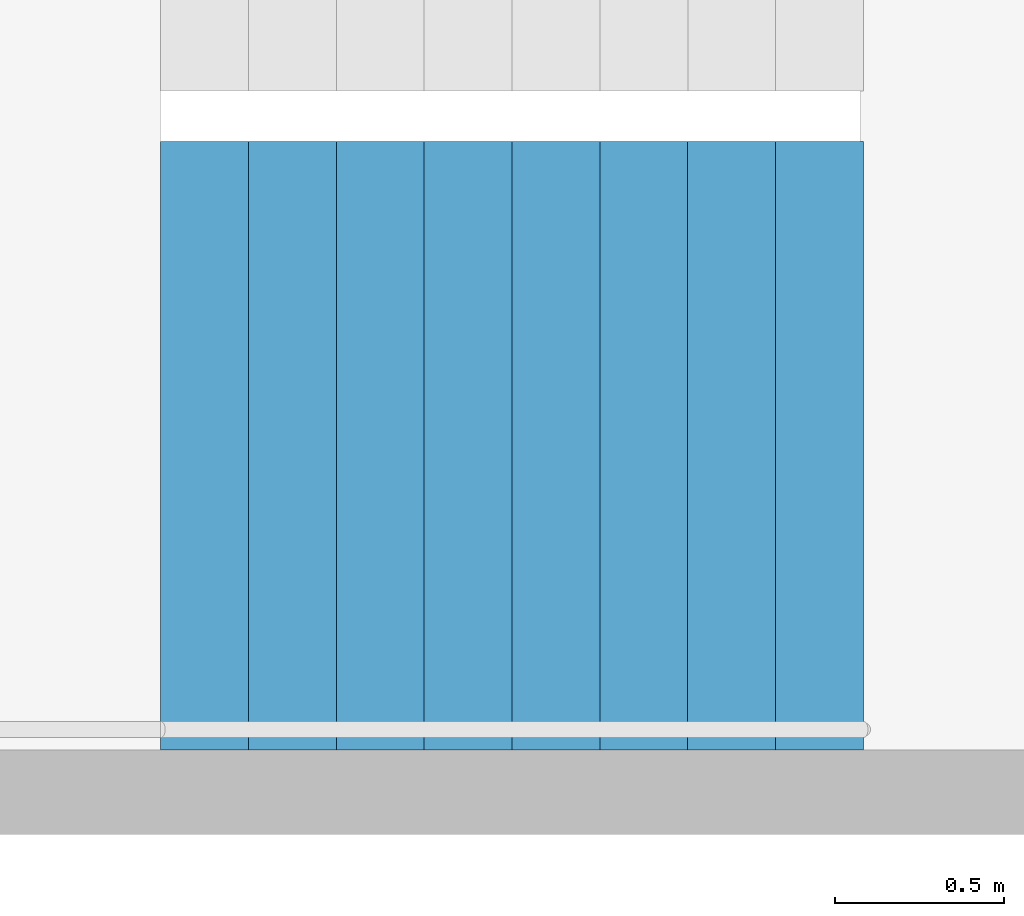
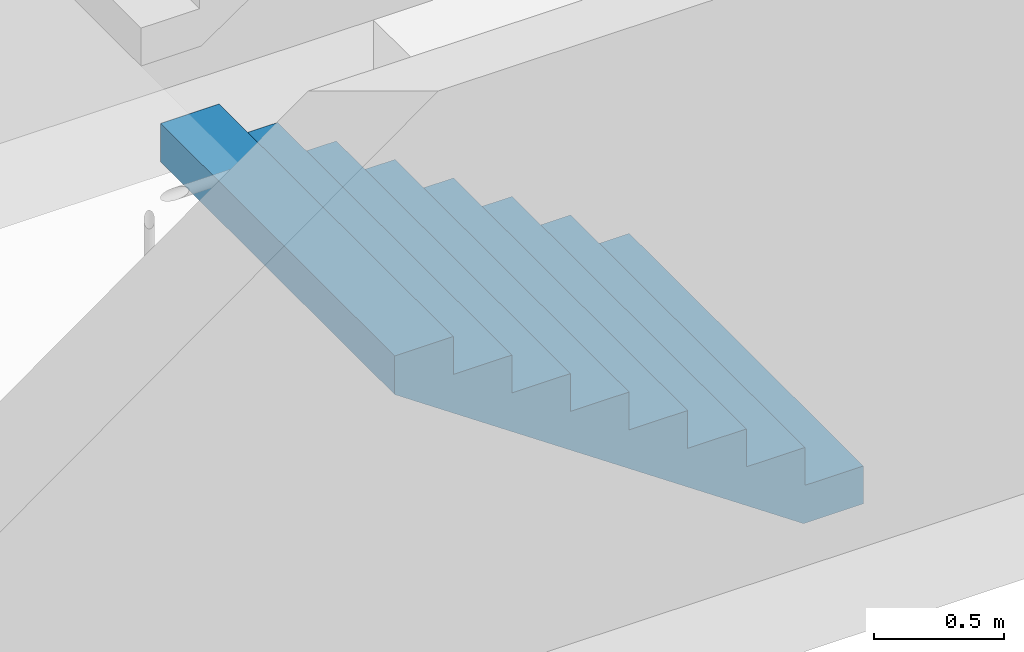
# One storey, part 26 of 28: 1 stair flight, 1 element without a shape of its own.
"""IFC4 building model written with IfcOpenShell, lengths in metres."""

from ifc_helpers import new_model, si_unit, direction, frame, origin, place, context, subcontext, project, spatial, triangles, material, type_object, element, aggregate, save


model = new_model("IFC4")

# Units and contexts
model_context = context("Model", 3, precision=1e-05, world=origin(), true_north=direction((0.0, 1.0)))
body_context = subcontext(model_context, "Body", "Model", "MODEL_VIEW")
ifc_project = project(units=[si_unit("LENGTHUNIT", "METRE"), si_unit("AREAUNIT", "SQUARE_METRE"), si_unit("VOLUMEUNIT", "CUBIC_METRE"), si_unit("PLANEANGLEUNIT", "RADIAN"), si_unit("MASSUNIT", "GRAM", prefix="KILO")], contexts=[model_context])

# Site, building, storey
site_placement = place(None, origin())
site = spatial("IfcSite", under=ifc_project, at=site_placement, CompositionType="ELEMENT")
building_placement = place(site_placement, origin())
building = spatial("IfcBuilding", under=site, at=building_placement, Name="Hakoniwa Tower and Hamabe Station Hall", CompositionType="ELEMENT")
storey_placement = place(building_placement, frame((0.0, 0.0, 32.60009765625)))
storey = spatial("IfcBuildingStorey", under=building, at=storey_placement, Name="L08", CompositionType="ELEMENT", Elevation=32.60009765625)

# Stair, stair flight
ifc_material_1 = material(Name="Concrete C40", Category="concrete")
stair_type = type_object("IfcStairType", Name="ESCAPE STAIR 1800", PredefinedType="HALF_TURN_STAIR", material=ifc_material_1)
stair_placement = place(storey_placement, origin())
stair = element("IfcStair", 1, at=stair_placement, inside=storey, type_object=stair_type, Name="Escape stair ST-3 L08", PredefinedType="HALF_TURN_STAIR")
ifc_material_2 = material(Name="Concrete C40", Category="concrete")
stair_flight_type = type_object("IfcStairFlightType", Name="STAIR FLIGHT 1800", PredefinedType="STRAIGHT", material=ifc_material_2)
stair_flight_placement = place(storey_placement, frame((24.39990234375, 4.64990234375, 0.0), z_axis=(0.0, 0.0, 1.0), x_axis=(-1.0, 0.0, 0.0)))
stair_flight = element("IfcStairFlight", 2, at=stair_flight_placement, type_object=stair_flight_type, Name="ST-3 flight 1", NumberOfRisers=9, NumberOfTreads=8, PredefinedType="STRAIGHT", RiserHeight=0.177777778, TreadLength=0.26, context=body_context, shape_type="Tessellation", body=[
    triangles([(0.0, 0.89990234375, 0.0), (0.260009765625, 0.89990234375, 0.0), (0.265625, 0.89990234375, 0.0), (0.52001953125, 0.89990234375, 0.174072265625), (0.780029296875, 0.89990234375, 0.351806640625), (1.0400390625, 0.89990234375, 0.529541015625), (1.300048828125, 0.89990234375, 0.707275390625), (1.56005859375, 0.89990234375, 0.885009765625), (1.820068359375, 0.89990234375, 1.062744140625), (2.080078125, 0.89990234375, 1.24072265625), (2.080078125, 0.89990234375, 1.422119140625), (1.820068359375, 0.89990234375, 1.422119140625), (1.820068359375, 0.89990234375, 1.244384765625), (1.56005859375, 0.89990234375, 1.244384765625), (1.56005859375, 0.89990234375, 1.066650390625), (1.300048828125, 0.89990234375, 1.066650390625), (1.300048828125, 0.89990234375, 0.888916015625), (1.0400390625, 0.89990234375, 0.888916015625), (1.0400390625, 0.89990234375, 0.711181640625), (0.780029296875, 0.89990234375, 0.711181640625), (0.780029296875, 0.89990234375, 0.533447265625), (0.52001953125, 0.89990234375, 0.533447265625), (0.52001953125, 0.89990234375, 0.35546875), (0.265625, 0.89990234375, 0.35546875), (0.260009765625, 0.89990234375, 0.35546875), (0.260009765625, 0.89990234375, 0.177734375), (0.0, 0.89990234375, 0.177734375), (0.0, 0.06005859375, 0.0), (0.260009765625, 0.06005859375, 0.0), (0.265625, 0.06005859375, 0.0), (0.52001953125, 0.06005859375, 0.174072265625), (0.780029296875, 0.06005859375, 0.351806640625), (1.0400390625, 0.06005859375, 0.529541015625), (1.300048828125, 0.06005859375, 0.707275390625), (1.56005859375, 0.06005859375, 0.885009765625), (1.820068359375, 0.06005859375, 1.062744140625), (2.080078125, 0.06005859375, 1.24072265625), (2.080078125, 0.06005859375, 1.422119140625), (1.820068359375, 0.06005859375, 1.422119140625), (1.820068359375, 0.06005859375, 1.244384765625), (1.56005859375, 0.06005859375, 1.244384765625), (1.56005859375, 0.06005859375, 1.066650390625), (1.300048828125, 0.06005859375, 1.066650390625), (1.300048828125, 0.06005859375, 0.888916015625), (1.0400390625, 0.06005859375, 0.888916015625), (1.0400390625, 0.06005859375, 0.711181640625), (0.780029296875, 0.06005859375, 0.711181640625), (0.780029296875, 0.06005859375, 0.533447265625), (0.52001953125, 0.06005859375, 0.533447265625), (0.52001953125, 0.06005859375, 0.35546875), (0.265625, 0.06005859375, 0.35546875), (0.260009765625, 0.06005859375, 0.35546875), (0.260009765625, 0.06005859375, 0.177734375), (0.0, 0.06005859375, 0.177734375), (0.0, 0.04296875, 0.0), (0.260009765625, 0.04296875, 0.0), (0.265625, 0.04296875, 0.0), (0.52001953125, 0.04296875, 0.174072265625), (0.780029296875, 0.04296875, 0.351806640625), (1.0400390625, 0.04296875, 0.529541015625), (1.300048828125, 0.04296875, 0.707275390625), (1.56005859375, 0.04296875, 0.885009765625), (1.820068359375, 0.04296875, 1.062744140625), (2.080078125, 0.04296875, 1.24072265625), (2.080078125, 0.04296875, 1.422119140625), (1.820068359375, 0.04296875, 1.422119140625), (1.820068359375, 0.04296875, 1.244384765625), (1.56005859375, 0.04296875, 1.244384765625), (1.56005859375, 0.04296875, 1.066650390625), (1.300048828125, 0.04296875, 1.066650390625), (1.300048828125, 0.04296875, 0.888916015625), (1.0400390625, 0.04296875, 0.888916015625), (1.0400390625, 0.04296875, 0.711181640625), (0.780029296875, 0.04296875, 0.711181640625), (0.780029296875, 0.04296875, 0.533447265625), (0.52001953125, 0.04296875, 0.533447265625), (0.52001953125, 0.04296875, 0.35546875), (0.265625, 0.04296875, 0.35546875), (0.260009765625, 0.04296875, 0.35546875), (0.260009765625, 0.04296875, 0.177734375), (0.0, 0.04296875, 0.177734375), (0.0, 0.025634765625, 0.0), (0.260009765625, 0.025634765625, 0.0), (0.265625, 0.025634765625, 0.0), (0.52001953125, 0.025634765625, 0.174072265625), (0.780029296875, 0.025634765625, 0.351806640625), (1.0400390625, 0.025634765625, 0.529541015625), (1.300048828125, 0.025634765625, 0.707275390625), (1.56005859375, 0.025634765625, 0.885009765625), (1.820068359375, 0.025634765625, 1.062744140625), (2.080078125, 0.025634765625, 1.24072265625), (2.080078125, 0.025634765625, 1.422119140625), (1.820068359375, 0.025634765625, 1.422119140625), (1.820068359375, 0.025634765625, 1.244384765625), (1.56005859375, 0.025634765625, 1.244384765625), (1.56005859375, 0.025634765625, 1.066650390625), (1.300048828125, 0.025634765625, 1.066650390625), (1.300048828125, 0.025634765625, 0.888916015625), (1.0400390625, 0.025634765625, 0.888916015625), (1.0400390625, 0.025634765625, 0.711181640625), (0.780029296875, 0.025634765625, 0.711181640625), (0.780029296875, 0.025634765625, 0.533447265625), (0.52001953125, 0.025634765625, 0.533447265625), (0.52001953125, 0.025634765625, 0.35546875), (0.265625, 0.025634765625, 0.35546875), (0.260009765625, 0.025634765625, 0.35546875), (0.260009765625, 0.025634765625, 0.177734375), (0.0, 0.025634765625, 0.177734375), (0.0, 0.008544921875, 0.0), (0.260009765625, 0.008544921875, 0.0), (0.265625, 0.008544921875, 0.0), (0.52001953125, 0.008544921875, 0.174072265625), (0.780029296875, 0.008544921875, 0.351806640625), (1.0400390625, 0.008544921875, 0.529541015625), (1.300048828125, 0.008544921875, 0.707275390625), (1.56005859375, 0.008544921875, 0.885009765625), (1.820068359375, 0.008544921875, 1.062744140625), (2.080078125, 0.008544921875, 1.24072265625), (2.080078125, 0.008544921875, 1.422119140625), (1.820068359375, 0.008544921875, 1.422119140625), (1.820068359375, 0.008544921875, 1.244384765625), (1.56005859375, 0.008544921875, 1.244384765625), (1.56005859375, 0.008544921875, 1.066650390625), (1.300048828125, 0.008544921875, 1.066650390625), (1.300048828125, 0.008544921875, 0.888916015625), (1.0400390625, 0.008544921875, 0.888916015625), (1.0400390625, 0.008544921875, 0.711181640625), (0.780029296875, 0.008544921875, 0.711181640625), (0.780029296875, 0.008544921875, 0.533447265625), (0.52001953125, 0.008544921875, 0.533447265625), (0.52001953125, 0.008544921875, 0.35546875), (0.265625, 0.008544921875, 0.35546875), (0.260009765625, 0.008544921875, 0.35546875), (0.260009765625, 0.008544921875, 0.177734375), (0.0, 0.008544921875, 0.177734375), (0.0, -0.008544921875, 0.0), (0.260009765625, -0.008544921875, 0.0), (0.265625, -0.008544921875, 0.0), (0.52001953125, -0.008544921875, 0.174072265625), (0.780029296875, -0.008544921875, 0.351806640625), (1.0400390625, -0.008544921875, 0.529541015625), (1.300048828125, -0.008544921875, 0.707275390625), (1.56005859375, -0.008544921875, 0.885009765625), (1.820068359375, -0.008544921875, 1.062744140625), (2.080078125, -0.008544921875, 1.24072265625), (2.080078125, -0.008544921875, 1.422119140625), (1.820068359375, -0.008544921875, 1.422119140625), (1.820068359375, -0.008544921875, 1.244384765625), (1.56005859375, -0.008544921875, 1.244384765625), (1.56005859375, -0.008544921875, 1.066650390625), (1.300048828125, -0.008544921875, 1.066650390625), (1.300048828125, -0.008544921875, 0.888916015625), (1.0400390625, -0.008544921875, 0.888916015625), (1.0400390625, -0.008544921875, 0.711181640625), (0.780029296875, -0.008544921875, 0.711181640625), (0.780029296875, -0.008544921875, 0.533447265625), (0.52001953125, -0.008544921875, 0.533447265625), (0.52001953125, -0.008544921875, 0.35546875), (0.265625, -0.008544921875, 0.35546875), (0.260009765625, -0.008544921875, 0.35546875), (0.260009765625, -0.008544921875, 0.177734375), (0.0, -0.008544921875, 0.177734375), (0.0, -0.025634765625, 0.0), (0.260009765625, -0.025634765625, 0.0), (0.265625, -0.025634765625, 0.0), (0.52001953125, -0.025634765625, 0.174072265625), (0.780029296875, -0.025634765625, 0.351806640625), (1.0400390625, -0.025634765625, 0.529541015625), (1.300048828125, -0.025634765625, 0.707275390625), (1.56005859375, -0.025634765625, 0.885009765625), (1.820068359375, -0.025634765625, 1.062744140625), (2.080078125, -0.025634765625, 1.24072265625), (2.080078125, -0.025634765625, 1.422119140625), (1.820068359375, -0.025634765625, 1.422119140625), (1.820068359375, -0.025634765625, 1.244384765625), (1.56005859375, -0.025634765625, 1.244384765625), (1.56005859375, -0.025634765625, 1.066650390625), (1.300048828125, -0.025634765625, 1.066650390625), (1.300048828125, -0.025634765625, 0.888916015625), (1.0400390625, -0.025634765625, 0.888916015625), (1.0400390625, -0.025634765625, 0.711181640625), (0.780029296875, -0.025634765625, 0.711181640625), (0.780029296875, -0.025634765625, 0.533447265625), (0.52001953125, -0.025634765625, 0.533447265625), (0.52001953125, -0.025634765625, 0.35546875), (0.265625, -0.025634765625, 0.35546875), (0.260009765625, -0.025634765625, 0.35546875), (0.260009765625, -0.025634765625, 0.177734375), (0.0, -0.025634765625, 0.177734375), (0.0, -0.04296875, 0.0), (0.260009765625, -0.04296875, 0.0), (0.265625, -0.04296875, 0.0), (0.52001953125, -0.04296875, 0.174072265625), (0.780029296875, -0.04296875, 0.351806640625), (1.0400390625, -0.04296875, 0.529541015625), (1.300048828125, -0.04296875, 0.707275390625), (1.56005859375, -0.04296875, 0.885009765625), (1.820068359375, -0.04296875, 1.062744140625), (2.080078125, -0.04296875, 1.24072265625), (2.080078125, -0.04296875, 1.422119140625), (1.820068359375, -0.04296875, 1.422119140625), (1.820068359375, -0.04296875, 1.244384765625), (1.56005859375, -0.04296875, 1.244384765625), (1.56005859375, -0.04296875, 1.066650390625), (1.300048828125, -0.04296875, 1.066650390625), (1.300048828125, -0.04296875, 0.888916015625), (1.0400390625, -0.04296875, 0.888916015625), (1.0400390625, -0.04296875, 0.711181640625), (0.780029296875, -0.04296875, 0.711181640625), (0.780029296875, -0.04296875, 0.533447265625), (0.52001953125, -0.04296875, 0.533447265625), (0.52001953125, -0.04296875, 0.35546875), (0.265625, -0.04296875, 0.35546875), (0.260009765625, -0.04296875, 0.35546875), (0.260009765625, -0.04296875, 0.177734375), (0.0, -0.04296875, 0.177734375), (0.0, -0.06005859375, 0.0), (0.260009765625, -0.06005859375, 0.0), (0.265625, -0.06005859375, 0.0), (0.52001953125, -0.06005859375, 0.174072265625), (0.780029296875, -0.06005859375, 0.351806640625), (1.0400390625, -0.06005859375, 0.529541015625), (1.300048828125, -0.06005859375, 0.707275390625), (1.56005859375, -0.06005859375, 0.885009765625), (1.820068359375, -0.06005859375, 1.062744140625), (2.080078125, -0.06005859375, 1.24072265625), (2.080078125, -0.06005859375, 1.422119140625), (1.820068359375, -0.06005859375, 1.422119140625), (1.820068359375, -0.06005859375, 1.244384765625), (1.56005859375, -0.06005859375, 1.244384765625), (1.56005859375, -0.06005859375, 1.066650390625), (1.300048828125, -0.06005859375, 1.066650390625), (1.300048828125, -0.06005859375, 0.888916015625), (1.0400390625, -0.06005859375, 0.888916015625), (1.0400390625, -0.06005859375, 0.711181640625), (0.780029296875, -0.06005859375, 0.711181640625), (0.780029296875, -0.06005859375, 0.533447265625), (0.52001953125, -0.06005859375, 0.533447265625), (0.52001953125, -0.06005859375, 0.35546875), (0.265625, -0.06005859375, 0.35546875), (0.260009765625, -0.06005859375, 0.35546875), (0.260009765625, -0.06005859375, 0.177734375), (0.0, -0.06005859375, 0.177734375), (0.0, -0.89990234375, 0.0), (0.260009765625, -0.89990234375, 0.0), (0.265625, -0.89990234375, 0.0), (0.52001953125, -0.89990234375, 0.174072265625), (0.780029296875, -0.89990234375, 0.351806640625), (1.0400390625, -0.89990234375, 0.529541015625), (1.300048828125, -0.89990234375, 0.707275390625), (1.56005859375, -0.89990234375, 0.885009765625), (1.820068359375, -0.89990234375, 1.062744140625), (2.080078125, -0.89990234375, 1.24072265625), (2.080078125, -0.89990234375, 1.422119140625), (1.820068359375, -0.89990234375, 1.422119140625), (1.820068359375, -0.89990234375, 1.244384765625), (1.56005859375, -0.89990234375, 1.244384765625), (1.56005859375, -0.89990234375, 1.066650390625), (1.300048828125, -0.89990234375, 1.066650390625), (1.300048828125, -0.89990234375, 0.888916015625), (1.0400390625, -0.89990234375, 0.888916015625), (1.0400390625, -0.89990234375, 0.711181640625), (0.780029296875, -0.89990234375, 0.711181640625), (0.780029296875, -0.89990234375, 0.533447265625), (0.52001953125, -0.89990234375, 0.533447265625), (0.52001953125, -0.89990234375, 0.35546875), (0.265625, -0.89990234375, 0.35546875), (0.260009765625, -0.89990234375, 0.35546875), (0.260009765625, -0.89990234375, 0.177734375), (0.0, -0.89990234375, 0.177734375)], [[2, 27, 26], [245, 269, 270], [2, 1, 27], [245, 270, 244], [3, 25, 24], [246, 267, 268], [3, 26, 25], [246, 268, 269], [3, 2, 26], [246, 269, 245], [4, 24, 23], [247, 266, 267], [4, 3, 24], [247, 267, 246], [5, 22, 21], [248, 264, 265], [5, 23, 22], [248, 265, 266], [5, 4, 23], [248, 266, 247], [6, 20, 19], [249, 262, 263], [6, 21, 20], [249, 263, 264], [6, 5, 21], [249, 264, 248], [7, 18, 17], [250, 260, 261], [7, 19, 18], [250, 261, 262], [7, 6, 19], [250, 262, 249], [8, 16, 15], [251, 258, 259], [8, 17, 16], [251, 259, 260], [8, 7, 17], [251, 260, 250], [9, 14, 13], [252, 256, 257], [9, 15, 14], [252, 257, 258], [9, 8, 15], [252, 258, 251], [10, 12, 11], [253, 254, 255], [10, 13, 12], [253, 255, 256], [10, 9, 13], [253, 256, 252], [1, 2, 29], [1, 29, 28], [28, 29, 56], [28, 56, 55], [55, 56, 83], [55, 83, 82], [82, 83, 110], [82, 110, 109], [109, 110, 137], [109, 137, 136], [136, 137, 164], [136, 164, 163], [163, 164, 191], [163, 191, 190], [190, 191, 218], [190, 218, 217], [217, 218, 245], [217, 245, 244], [2, 3, 30], [2, 30, 29], [29, 30, 57], [29, 57, 56], [56, 57, 84], [56, 84, 83], [83, 84, 111], [83, 111, 110], [110, 111, 138], [110, 138, 137], [137, 138, 165], [137, 165, 164], [164, 165, 192], [164, 192, 191], [191, 192, 219], [191, 219, 218], [218, 219, 246], [218, 246, 245], [3, 4, 31], [3, 31, 30], [30, 31, 58], [30, 58, 57], [57, 58, 85], [57, 85, 84], [84, 85, 112], [84, 112, 111], [111, 112, 139], [111, 139, 138], [138, 139, 166], [138, 166, 165], [165, 166, 193], [165, 193, 192], [192, 193, 220], [192, 220, 219], [219, 220, 247], [219, 247, 246], [4, 5, 32], [4, 32, 31], [31, 32, 59], [31, 59, 58], [58, 59, 86], [58, 86, 85], [85, 86, 113], [85, 113, 112], [112, 113, 140], [112, 140, 139], [139, 140, 167], [139, 167, 166], [166, 167, 194], [166, 194, 193], [193, 194, 221], [193, 221, 220], [220, 221, 248], [220, 248, 247], [5, 6, 33], [5, 33, 32], [32, 33, 60], [32, 60, 59], [59, 60, 87], [59, 87, 86], [86, 87, 114], [86, 114, 113], [113, 114, 141], [113, 141, 140], [140, 141, 168], [140, 168, 167], [167, 168, 195], [167, 195, 194], [194, 195, 222], [194, 222, 221], [221, 222, 249], [221, 249, 248], [6, 7, 34], [6, 34, 33], [33, 34, 61], [33, 61, 60], [60, 61, 88], [60, 88, 87], [87, 88, 115], [87, 115, 114], [114, 115, 142], [114, 142, 141], [141, 142, 169], [141, 169, 168], [168, 169, 196], [168, 196, 195], [195, 196, 223], [195, 223, 222], [222, 223, 250], [222, 250, 249], [7, 8, 35], [7, 35, 34], [34, 35, 62], [34, 62, 61], [61, 62, 89], [61, 89, 88], [88, 89, 116], [88, 116, 115], [115, 116, 143], [115, 143, 142], [142, 143, 170], [142, 170, 169], [169, 170, 197], [169, 197, 196], [196, 197, 224], [196, 224, 223], [223, 224, 251], [223, 251, 250], [8, 9, 36], [8, 36, 35], [35, 36, 63], [35, 63, 62], [62, 63, 90], [62, 90, 89], [89, 90, 117], [89, 117, 116], [116, 117, 144], [116, 144, 143], [143, 144, 171], [143, 171, 170], [170, 171, 198], [170, 198, 197], [197, 198, 225], [197, 225, 224], [224, 225, 252], [224, 252, 251], [9, 10, 37], [9, 37, 36], [36, 37, 64], [36, 64, 63], [63, 64, 91], [63, 91, 90], [90, 91, 118], [90, 118, 117], [117, 118, 145], [117, 145, 144], [144, 145, 172], [144, 172, 171], [171, 172, 199], [171, 199, 198], [198, 199, 226], [198, 226, 225], [225, 226, 253], [225, 253, 252], [10, 11, 38], [10, 38, 37], [37, 38, 65], [37, 65, 64], [64, 65, 92], [64, 92, 91], [91, 92, 119], [91, 119, 118], [118, 119, 146], [118, 146, 145], [145, 146, 173], [145, 173, 172], [172, 173, 200], [172, 200, 199], [199, 200, 227], [199, 227, 226], [226, 227, 254], [226, 254, 253], [11, 12, 39], [11, 39, 38], [38, 39, 66], [38, 66, 65], [65, 66, 93], [65, 93, 92], [92, 93, 120], [92, 120, 119], [119, 120, 147], [119, 147, 146], [146, 147, 174], [146, 174, 173], [173, 174, 201], [173, 201, 200], [200, 201, 228], [200, 228, 227], [227, 228, 255], [227, 255, 254], [12, 13, 40], [12, 40, 39], [39, 40, 67], [39, 67, 66], [66, 67, 94], [66, 94, 93], [93, 94, 121], [93, 121, 120], [120, 121, 148], [120, 148, 147], [147, 148, 175], [147, 175, 174], [174, 175, 202], [174, 202, 201], [201, 202, 229], [201, 229, 228], [228, 229, 256], [228, 256, 255], [13, 14, 41], [13, 41, 40], [40, 41, 68], [40, 68, 67], [67, 68, 95], [67, 95, 94], [94, 95, 122], [94, 122, 121], [121, 122, 149], [121, 149, 148], [148, 149, 176], [148, 176, 175], [175, 176, 203], [175, 203, 202], [202, 203, 230], [202, 230, 229], [229, 230, 257], [229, 257, 256], [14, 15, 42], [14, 42, 41], [41, 42, 69], [41, 69, 68], [68, 69, 96], [68, 96, 95], [95, 96, 123], [95, 123, 122], [122, 123, 150], [122, 150, 149], [149, 150, 177], [149, 177, 176], [176, 177, 204], [176, 204, 203], [203, 204, 231], [203, 231, 230], [230, 231, 258], [230, 258, 257], [15, 16, 43], [15, 43, 42], [42, 43, 70], [42, 70, 69], [69, 70, 97], [69, 97, 96], [96, 97, 124], [96, 124, 123], [123, 124, 151], [123, 151, 150], [150, 151, 178], [150, 178, 177], [177, 178, 205], [177, 205, 204], [204, 205, 232], [204, 232, 231], [231, 232, 259], [231, 259, 258], [16, 17, 44], [16, 44, 43], [43, 44, 71], [43, 71, 70], [70, 71, 98], [70, 98, 97], [97, 98, 125], [97, 125, 124], [124, 125, 152], [124, 152, 151], [151, 152, 179], [151, 179, 178], [178, 179, 206], [178, 206, 205], [205, 206, 233], [205, 233, 232], [232, 233, 260], [232, 260, 259], [17, 18, 45], [17, 45, 44], [44, 45, 72], [44, 72, 71], [71, 72, 99], [71, 99, 98], [98, 99, 126], [98, 126, 125], [125, 126, 153], [125, 153, 152], [152, 153, 180], [152, 180, 179], [179, 180, 207], [179, 207, 206], [206, 207, 234], [206, 234, 233], [233, 234, 261], [233, 261, 260], [18, 19, 46], [18, 46, 45], [45, 46, 73], [45, 73, 72], [72, 73, 100], [72, 100, 99], [99, 100, 127], [99, 127, 126], [126, 127, 154], [126, 154, 153], [153, 154, 181], [153, 181, 180], [180, 181, 208], [180, 208, 207], [207, 208, 235], [207, 235, 234], [234, 235, 262], [234, 262, 261], [19, 20, 47], [19, 47, 46], [46, 47, 74], [46, 74, 73], [73, 74, 101], [73, 101, 100], [100, 101, 128], [100, 128, 127], [127, 128, 155], [127, 155, 154], [154, 155, 182], [154, 182, 181], [181, 182, 209], [181, 209, 208], [208, 209, 236], [208, 236, 235], [235, 236, 263], [235, 263, 262], [20, 21, 48], [20, 48, 47], [47, 48, 75], [47, 75, 74], [74, 75, 102], [74, 102, 101], [101, 102, 129], [101, 129, 128], [128, 129, 156], [128, 156, 155], [155, 156, 183], [155, 183, 182], [182, 183, 210], [182, 210, 209], [209, 210, 237], [209, 237, 236], [236, 237, 264], [236, 264, 263], [21, 22, 49], [21, 49, 48], [48, 49, 76], [48, 76, 75], [75, 76, 103], [75, 103, 102], [102, 103, 130], [102, 130, 129], [129, 130, 157], [129, 157, 156], [156, 157, 184], [156, 184, 183], [183, 184, 211], [183, 211, 210], [210, 211, 238], [210, 238, 237], [237, 238, 265], [237, 265, 264], [22, 23, 50], [22, 50, 49], [49, 50, 77], [49, 77, 76], [76, 77, 104], [76, 104, 103], [103, 104, 131], [103, 131, 130], [130, 131, 158], [130, 158, 157], [157, 158, 185], [157, 185, 184], [184, 185, 212], [184, 212, 211], [211, 212, 239], [211, 239, 238], [238, 239, 266], [238, 266, 265], [23, 24, 51], [23, 51, 50], [50, 51, 78], [50, 78, 77], [77, 78, 105], [77, 105, 104], [104, 105, 132], [104, 132, 131], [131, 132, 159], [131, 159, 158], [158, 159, 186], [158, 186, 185], [185, 186, 213], [185, 213, 212], [212, 213, 240], [212, 240, 239], [239, 240, 267], [239, 267, 266], [24, 25, 52], [24, 52, 51], [51, 52, 79], [51, 79, 78], [78, 79, 106], [78, 106, 105], [105, 106, 133], [105, 133, 132], [132, 133, 160], [132, 160, 159], [159, 160, 187], [159, 187, 186], [186, 187, 214], [186, 214, 213], [213, 214, 241], [213, 241, 240], [240, 241, 268], [240, 268, 267], [25, 26, 53], [25, 53, 52], [52, 53, 80], [52, 80, 79], [79, 80, 107], [79, 107, 106], [106, 107, 134], [106, 134, 133], [133, 134, 161], [133, 161, 160], [160, 161, 188], [160, 188, 187], [187, 188, 215], [187, 215, 214], [214, 215, 242], [214, 242, 241], [241, 242, 269], [241, 269, 268], [26, 27, 54], [26, 54, 53], [53, 54, 81], [53, 81, 80], [80, 81, 108], [80, 108, 107], [107, 108, 135], [107, 135, 134], [134, 135, 162], [134, 162, 161], [161, 162, 189], [161, 189, 188], [188, 189, 216], [188, 216, 215], [215, 216, 243], [215, 243, 242], [242, 243, 270], [242, 270, 269], [27, 1, 28], [27, 28, 54], [54, 28, 55], [54, 55, 81], [81, 55, 82], [81, 82, 108], [108, 82, 109], [108, 109, 135], [135, 109, 136], [135, 136, 162], [162, 136, 163], [162, 163, 189], [189, 163, 190], [189, 190, 216], [216, 190, 217], [216, 217, 243], [243, 217, 244], [243, 244, 270]], closed=True),
])
aggregate(stair, [stair_flight])

save(model, "model.ifc")
